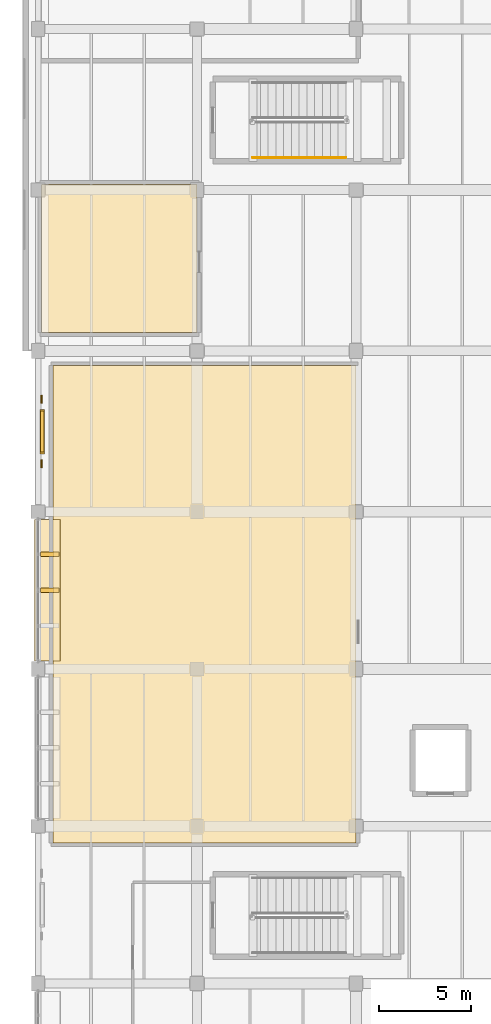
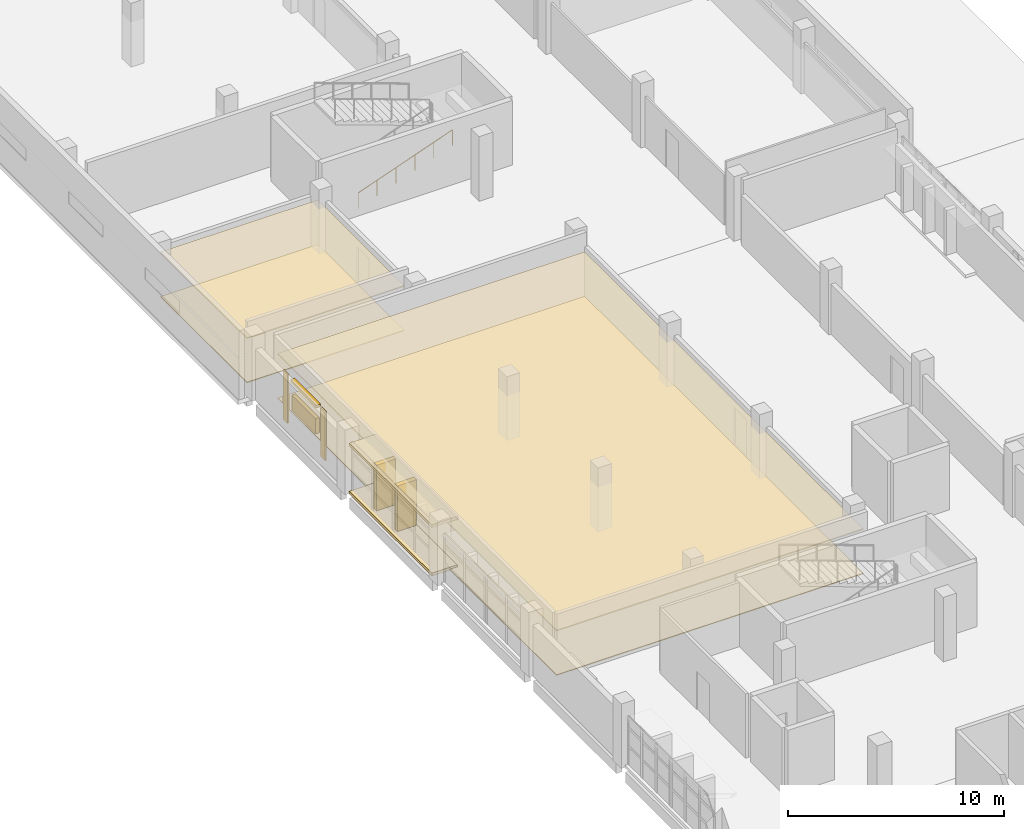
# One storey, part 77 of 80: 8 coverings, 4 shading devices, 1 railing.
"""IFC4 building model written with IfcOpenShell, lengths in metres."""

from ifc_helpers import new_model, si_unit, direction, frame, origin, origin_2d, place, context, subcontext, project, spatial, polyline, rectangle, circle, outline, extrude, material, layer, layer_set, type_object, element, save


model = new_model("IFC4")

# Units and contexts
model_context = context("Model", 3, precision=1e-05, world=origin(), true_north=direction((0.0, 1.0)))
body_context = subcontext(model_context, "Body", "Model", "MODEL_VIEW")
ifc_project = project(units=[si_unit("LENGTHUNIT", "METRE"), si_unit("AREAUNIT", "SQUARE_METRE"), si_unit("VOLUMEUNIT", "CUBIC_METRE"), si_unit("PLANEANGLEUNIT", "RADIAN"), si_unit("MASSUNIT", "GRAM", prefix="KILO")], contexts=[model_context])

# Site, building, storey
site_placement = place(None, origin())
site = spatial("IfcSite", under=ifc_project, at=site_placement, CompositionType="ELEMENT")
building_placement = place(site_placement, origin())
building = spatial("IfcBuilding", under=site, at=building_placement, Name="Varnakota Cinema and Media Centre", CompositionType="ELEMENT")
storey_placement = place(building_placement, frame((0.0, 0.0, 4.5)))
storey = spatial("IfcBuildingStorey", under=building, at=storey_placement, Name="L01", CompositionType="ELEMENT", Elevation=4.5)

# Coverings
ifc_material_1 = material(Name="Autoclaved aerated concrete blockwork", Category="masonry")
ifc_layer_1 = layer(ifc_material_1, 0.06005859375)
ifc_layer_set_1 = layer_set([ifc_layer_1], Name="Autoclaved aerated concrete blockwork")
covering_type_1 = type_object("IfcCoveringType", Name="COV-ACOUST-CEIL-60", PredefinedType="CEILING", material=ifc_layer_set_1)
covering_1_placement = place(storey_placement, frame((0.0, 0.0, 2.5)))
element("IfcCovering", 1, at=covering_1_placement, inside=storey, type_object=covering_type_1, Name="L01 Foley Post Mixing Studio acoustic baffle ceiling", PredefinedType="CEILING", context=body_context, shape_type="SweptSolid", body=[
    extrude(outline(polyline([(0.800048828125, 51.60009765625), (17.199951171875, 51.60009765625), (17.199951171875, 77.39990234375), (0.800048828125, 77.39990234375), (0.800048828125, 51.60009765625)])), origin(), (0.0, 0.0, 1.0), 0.06005859375),
])
covering_2_placement = place(storey_placement, frame((0.0, 0.0, 2.5)))
element("IfcCovering", 2, at=covering_2_placement, inside=storey, type_object=covering_type_1, Name="L01 Sound Design Editing Studio acoustic baffle ceiling", PredefinedType="CEILING", context=body_context, shape_type="SweptSolid", body=[
    extrude(outline(polyline([(0.199951171875, 79.199951171875), (8.60009765625, 79.199951171875), (8.60009765625, 87.199951171875), (0.199951171875, 87.199951171875), (0.199951171875, 79.199951171875)])), origin(), (0.0, 0.0, 1.0), 0.06005859375),
])
ifc_material_2 = material(Name="Precast concrete M40", Category="concrete")
ifc_layer_2 = layer(ifc_material_2, 0.159912109375)
ifc_layer_set_2 = layer_set([ifc_layer_2], Name="Precast concrete M40")
covering_type_2 = type_object("IfcCoveringType", Name="COV-CHAJJA-160", PredefinedType="CLADDING", material=ifc_layer_set_2)
covering_3_placement = place(storey_placement, frame((0.0, 0.0, 2.72509765625)))
element("IfcCovering", 3, at=covering_3_placement, inside=storey, type_object=covering_type_2, Name="L01 Brutalist chajja overhang V5-W-2", PredefinedType="CLADDING", context=body_context, shape_type="SweptSolid", body=[
    extrude(outline(polyline([(-0.179931640625, 69.0849609375), (-0.179931640625, 61.43994140625), (1.219970703125, 61.43994140625), (1.219970703125, 69.0849609375), (-0.179931640625, 69.0849609375)])), origin(), (0.0, 0.0, 1.0), 0.159912109375),
])
covering_4_placement = place(storey_placement, origin())
element("IfcCovering", 4, at=covering_4_placement, inside=storey, type_object=covering_type_2, Name="L01 brise-soleil base plinth V5-W-2", PredefinedType="CLADDING", context=body_context, shape_type="SweptSolid", body=[
    extrude(outline(polyline([(-0.179931640625, 69.0849609375), (-0.179931640625, 61.43994140625), (1.179931640625, 61.43994140625), (1.179931640625, 69.0849609375), (-0.179931640625, 69.0849609375)])), origin(), (0.0, 0.0, 1.0), 0.159912109375),
])
ifc_material_3 = material(Name="Deccan grey granite ashlar", Category="masonry")
ifc_layer_3 = layer(ifc_material_3, 0.044921875)
ifc_layer_set_3 = layer_set([ifc_layer_3], Name="Deccan grey granite ashlar")
covering_type_3 = type_object("IfcCoveringType", Name="COV-STUDIO-FLR-45", PredefinedType="FLOORING", material=ifc_layer_set_3)
covering_5_placement = place(storey_placement, origin())
element("IfcCovering", 5, at=covering_5_placement, inside=storey, type_object=covering_type_3, Name="L01 Foley Post Mixing Studio isolated studio floor finish", PredefinedType="FLOORING", context=body_context, shape_type="SweptSolid", body=[
    extrude(outline(polyline([(0.800048828125, 51.60009765625), (17.199951171875, 51.60009765625), (17.199951171875, 77.39990234375), (0.800048828125, 77.39990234375), (0.800048828125, 51.60009765625)])), origin(), (0.0, 0.0, 1.0), 0.044921875),
])
covering_6_placement = place(storey_placement, origin())
element("IfcCovering", 6, at=covering_6_placement, inside=storey, type_object=covering_type_3, Name="L01 Sound Design Editing Studio isolated studio floor finish", PredefinedType="FLOORING", context=body_context, shape_type="SweptSolid", body=[
    extrude(outline(polyline([(0.199951171875, 79.199951171875), (8.60009765625, 79.199951171875), (8.60009765625, 87.199951171875), (0.199951171875, 87.199951171875), (0.199951171875, 79.199951171875)])), origin(), (0.0, 0.0, 1.0), 0.044921875),
])
ifc_material_4 = material(Name="Pale Tandur limestone cladding", Category="masonry")
ifc_layer_4 = layer(ifc_material_4, 0.06005859375)
ifc_layer_set_4 = layer_set([ifc_layer_4], Name="Pale Tandur limestone cladding")
covering_type_4 = type_object("IfcCoveringType", Name="COV-TANDUR-ASHLAR-60", PredefinedType="CLADDING", material=ifc_layer_set_4)
for number, where, z_axis, x_axis, name in (
    (7, (0.18505859375, 75.5810546875, 0.06005859375), (0.0, 0.0, 1.0), (0.0, -1.0, 0.0), "L01 acoustic studio stone relief pilaster V5-W-1.1"),
    (8, (0.18505859375, 72.093994140625, 0.06005859375), (0.0, 0.0, 1.0), (0.0, -1.0, 0.0), "L01 acoustic studio stone relief pilaster V5-W-1.2"),
):
    element("IfcCovering", number, at=place(storey_placement, frame(where, z_axis=z_axis, x_axis=x_axis)), inside=storey, type_object=covering_type_4, Name=name, PredefinedType="CLADDING", context=body_context, shape_type="SweptSolid", body=[
        extrude(rectangle(XDim=0.419921875, YDim=0.080078125, at=origin_2d()), origin(), (0.0, 0.0, 1.0), 2.764892578125),
    ])

# Railing
ifc_material_5 = material(Name="Structural steel Grade 350 (E350)", Category="steel")
ifc_layer_5 = layer(ifc_material_5, 0.048095703125)
ifc_layer_set_5 = layer_set([ifc_layer_5], Name="Structural steel Grade 350 (E350)")
railing_type = type_object("IfcRailingType", Name="RAIL-STAIR-HAND-900", PredefinedType="HANDRAIL", material=ifc_layer_set_5)
railing_placement = place(storey_placement, frame((11.60009765625, 88.64990234375, 0.14990234375)))
element("IfcRailing", 9, at=railing_placement, inside=storey, type_object=railing_type, Name="L01 ST-05 stair handrail 1", PredefinedType="HANDRAIL", context=body_context, shape_type="SweptSolid", body=[
    extrude(circle(Radius=0.02392578125, at=origin_2d()), frame((0.0, 0.0, 0.8759765625), z_axis=(0.941734686483, 0.0, 0.336356626626), x_axis=(0.0, 1.0, 0.0)), (0.0, 0.0, 1.0), 5.3515625),
    extrude(circle(Radius=0.02099609375, at=origin_2d()), origin(), (0.0, 0.0, 1.0), 0.851806640625),
    extrude(circle(Radius=0.02099609375, at=origin_2d()), frame((1.008056640625, 0.0, 0.360107421875)), (0.0, 0.0, 1.0), 0.851806640625),
    extrude(circle(Radius=0.02099609375, at=origin_2d()), frame((2.015869140625, 0.0, 0.719970703125)), (0.0, 0.0, 1.0), 0.851806640625),
    extrude(circle(Radius=0.02099609375, at=origin_2d()), frame((3.02392578125, 0.0, 1.080078125)), (0.0, 0.0, 1.0), 0.851806640625),
    extrude(circle(Radius=0.02099609375, at=origin_2d()), frame((4.03173828125, 0.0, 1.43994140625)), (0.0, 0.0, 1.0), 0.851806640625),
    extrude(circle(Radius=0.02099609375, at=origin_2d()), frame((5.039794921875, 0.0, 1.800048828125)), (0.0, 0.0, 1.0), 0.851806640625),
])

# Shading devices
ifc_material_6 = material(Name="Precast concrete M40", Category="concrete")
shading_device_type_1 = type_object("IfcShadingDeviceType", Name="SHD-BRISE-FIN-240", PredefinedType="JALOUSIE", material=ifc_material_6)
for number, where, z_axis, x_axis, name in (
    (10, (0.6298828125, 67.193603515625, 0.14990234375), (0.0, 0.0, 1.0), (0.0, -1.0, 0.0), "L01 vertical concrete brise-soleil fin V5-W-2.1"),
    (11, (0.6298828125, 65.262451171875, 0.14990234375), (0.0, 0.0, 1.0), (0.0, -1.0, 0.0), "L01 vertical concrete brise-soleil fin V5-W-2.2"),
):
    element("IfcShadingDevice", number, at=place(storey_placement, frame(where, z_axis=z_axis, x_axis=x_axis)), inside=storey, type_object=shading_device_type_1, Name=name, PredefinedType="JALOUSIE", context=body_context, shape_type="SweptSolid", body=[
        extrude(rectangle(XDim=0.239990234375, YDim=1.02001953125, at=origin_2d()), origin(), (0.0, 0.0, 1.0), 2.5849609375),
    ])
ifc_material_7 = material(Name="Precast concrete M40", Category="concrete")
shading_device_type_2 = type_object("IfcShadingDeviceType", Name="SHD-CHAJJA-1050", PredefinedType="AWNING", material=ifc_material_7)
shading_device_1_placement = place(storey_placement, frame((0.22998046875, 73.83740234375, 2.615234375), z_axis=(0.0, 0.0, 1.0), x_axis=(0.0, -1.0, 0.0)))
element("IfcShadingDevice", 12, at=shading_device_1_placement, inside=storey, type_object=shading_device_type_2, Name="L01 acoustic intake weather hood V5-W-1", PredefinedType="AWNING", context=body_context, shape_type="SweptSolid", body=[
    extrude(rectangle(XDim=2.39990234375, YDim=0.239990234375, at=origin_2d()), origin(), (0.0, 0.0, 1.0), 0.139892578125),
])
ifc_material_8 = material(Name="Precast concrete M40", Category="concrete")
shading_device_type_3 = type_object("IfcShadingDeviceType", Name="SHD-FIN-1050", PredefinedType="JALOUSIE", material=ifc_material_8)
shading_device_2_placement = place(storey_placement, frame((0.22998046875, 73.83740234375, 1.074951171875), z_axis=(0.0, 0.0, 1.0), x_axis=(0.0, -1.0, 0.0)))
element("IfcShadingDevice", 13, at=shading_device_2_placement, inside=storey, type_object=shading_device_type_3, Name="L01 studio acoustic louvre screen V5-W-1", PredefinedType="JALOUSIE", context=body_context, shape_type="SweptSolid", body=[
    extrude(rectangle(XDim=2.199951171875, YDim=0.199951171875, at=origin_2d()), origin(), (0.0, 0.0, 1.0), 0.85009765625),
])

save(model, "model.ifc")
